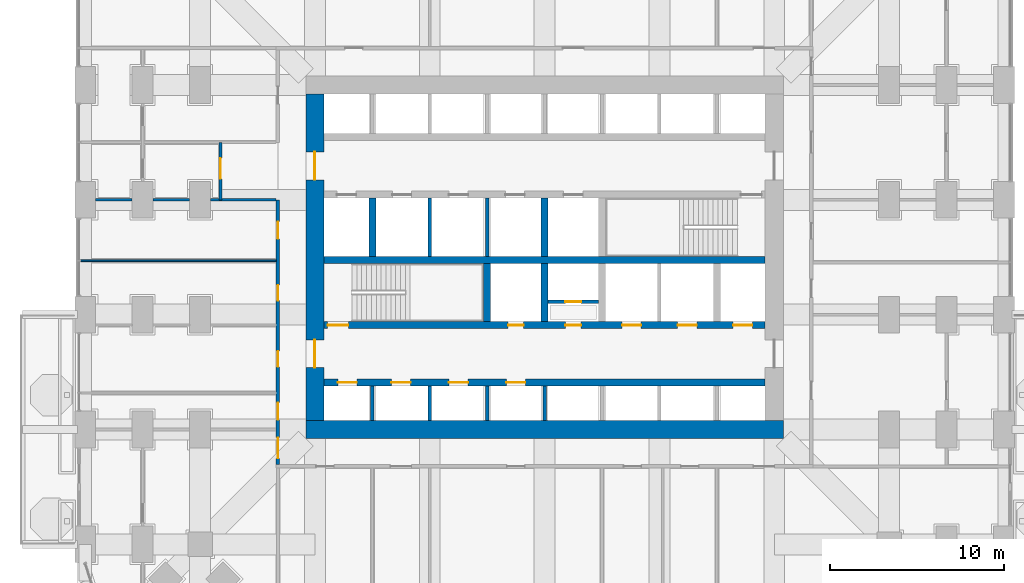
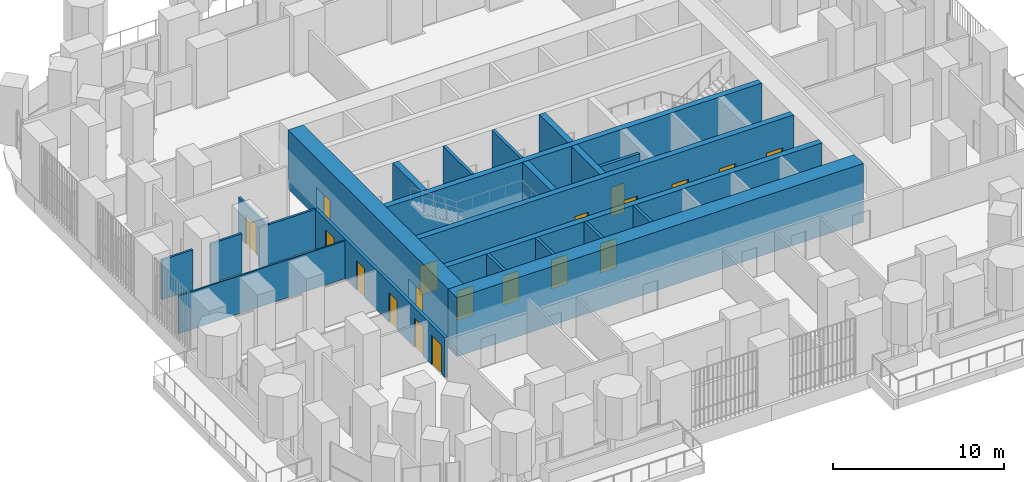
# One storey, part 19 of 27: 22 walls, 19 doors, 19 openings.
"""IFC4 building model written with IfcOpenShell, lengths in metres."""

from ifc_helpers import new_model, si_unit, direction, frame, frame_2d, origin, place, context, subcontext, project, spatial, rectangle, extrude, material, layer, layer_set, type_object, element, fill, save


model = new_model("IFC4")

# Units and contexts
model_context = context("Model", 3, precision=1e-05, world=origin(), true_north=direction((0.0, 1.0)))
body_context = subcontext(model_context, "Body", "Model", "MODEL_VIEW")
ifc_project = project(units=[si_unit("LENGTHUNIT", "METRE"), si_unit("AREAUNIT", "SQUARE_METRE"), si_unit("VOLUMEUNIT", "CUBIC_METRE"), si_unit("PLANEANGLEUNIT", "RADIAN"), si_unit("MASSUNIT", "GRAM", prefix="KILO")], contexts=[model_context])

# Site, building, storey
site_placement = place(None, origin())
site = spatial("IfcSite", under=ifc_project, at=site_placement, CompositionType="ELEMENT")
building_placement = place(site_placement, origin())
building = spatial("IfcBuilding", under=site, at=building_placement, Name="Cobogo Forest Laboratory Tower", CompositionType="ELEMENT")
storey_placement = place(building_placement, frame((0.0, 0.0, 46.5)))
storey = spatial("IfcBuildingStorey", under=building, at=storey_placement, Name="L10", CompositionType="ELEMENT", Elevation=46.5)

# Wall, openings, doors
ifc_material_1 = material(Name="Concrete HA-50 (C50/60)", Category="concrete")
ifc_layer_1 = layer(ifc_material_1, 0.39990234375)
ifc_layer_set_1 = layer_set([ifc_layer_1], Name="CI400 core inner wall 400")
wall_type_1 = type_object("IfcWallType", Name="CI400 core inner wall 400", PredefinedType="SHEAR", material=ifc_layer_set_1)
wall_1_placement = place(storey_placement, frame((13.72509765625, 15.89990234375, 0.0), z_axis=(0.0, 0.0, 1.0), x_axis=(1.0, 0.0, 0.0)))
wall_1 = element("IfcWall", 1, at=wall_1_placement, inside=storey, type_object=wall_type_1, Name="Core wall CI-15.9 L10", PredefinedType="SHEAR", context=body_context, shape_type="SweptSolid", body=[
    extrude(rectangle(XDim=25.349853515625, YDim=0.39990234375, at=frame_2d((12.6748046875, 0.0))), origin(), (0.0, 0.0, 1.0), 4.199951171875),
])
opening_1_placement = place(wall_1_placement, frame((0.78759765625, 0.0, 0.0)))
opening_1 = element("IfcOpeningElement", 2, at=opening_1_placement, cuts=wall_1, Name="Opening L10-LD-LA1", PredefinedType="OPENING", context=body_context, shape_type="SweptSolid", body=[
    extrude(rectangle(XDim=1.10009765625, YDim=2.10009765625, at=frame_2d((0.550048828125, 1.050048828125))), frame((0.0, 0.2099609375, 0.0), z_axis=(0.0, -1.0, 0.0), x_axis=(1.0, 0.0, 0.0)), (0.0, 0.0, 1.0), 0.419921875),
])
opening_2_placement = place(wall_1_placement, frame((3.875, 0.0, 0.0)))
opening_2 = element("IfcOpeningElement", 3, at=opening_2_placement, cuts=wall_1, Name="Opening L10-LD-LA2", PredefinedType="OPENING", context=body_context, shape_type="SweptSolid", body=[
    extrude(rectangle(XDim=1.10009765625, YDim=2.10009765625, at=frame_2d((0.550048828125, 1.050048828125))), frame((0.0, 0.2099609375, 0.0), z_axis=(0.0, -1.0, 0.0), x_axis=(1.0, 0.0, 0.0)), (0.0, 0.0, 1.0), 0.419921875),
])
opening_3_placement = place(wall_1_placement, frame((7.175048828125, 0.0, 0.0)))
opening_3 = element("IfcOpeningElement", 4, at=opening_3_placement, cuts=wall_1, Name="Opening L10-LD-LA3", PredefinedType="OPENING", context=body_context, shape_type="SweptSolid", body=[
    extrude(rectangle(XDim=1.10009765625, YDim=2.10009765625, at=frame_2d((0.550048828125, 1.050048828125))), frame((0.0, 0.2099609375, 0.0), z_axis=(0.0, -1.0, 0.0), x_axis=(1.0, 0.0, 0.0)), (0.0, 0.0, 1.0), 0.419921875),
])
opening_4_placement = place(wall_1_placement, frame((10.47509765625, 0.0, 0.0)))
opening_4 = element("IfcOpeningElement", 5, at=opening_4_placement, cuts=wall_1, Name="Opening L10-LD-LA4", PredefinedType="OPENING", context=body_context, shape_type="SweptSolid", body=[
    extrude(rectangle(XDim=1.10009765625, YDim=2.10009765625, at=frame_2d((0.550048828125, 1.050048828125))), frame((0.0, 0.2099609375, 0.0), z_axis=(0.0, -1.0, 0.0), x_axis=(1.0, 0.0, 0.0)), (0.0, 0.0, 1.0), 0.419921875),
])
ifc_material_2 = material(Name="Stainless steel lift door", Category="steel")
door_type_1 = type_object("IfcDoorType", Name="LD lift landing door 1100", OperationType="DOUBLE_DOOR_SLIDING", PredefinedType="DOOR", material=ifc_material_2)
door_1_placement = place(opening_1_placement, origin())
door_1 = element("IfcDoor", 6, at=door_1_placement, inside=storey, type_object=door_type_1, Name="Lift landing door LA1 L10", OperationType="DOUBLE_DOOR_SLIDING", OverallHeight=2.10009765625, OverallWidth=1.10009765625, PredefinedType="DOOR", context=body_context, shape_type="SweptSolid", body=[
    extrude(rectangle(XDim=1.10009765625, YDim=2.10009765625, at=frame_2d((0.550048828125, 1.050048828125))), frame((0.0, 0.02490234375, 0.0), z_axis=(0.0, -1.0, 0.0), x_axis=(1.0, 0.0, 0.0)), (0.0, 0.0, 1.0), 0.050048828125),
])
fill(opening_1, door_1)
door_2_placement = place(opening_2_placement, origin())
door_2 = element("IfcDoor", 7, at=door_2_placement, inside=storey, type_object=door_type_1, Name="Lift landing door LA2 L10", OperationType="DOUBLE_DOOR_SLIDING", OverallHeight=2.10009765625, OverallWidth=1.10009765625, PredefinedType="DOOR", context=body_context, shape_type="SweptSolid", body=[
    extrude(rectangle(XDim=1.10009765625, YDim=2.10009765625, at=frame_2d((0.550048828125, 1.050048828125))), frame((0.0, 0.02490234375, 0.0), z_axis=(0.0, -1.0, 0.0), x_axis=(1.0, 0.0, 0.0)), (0.0, 0.0, 1.0), 0.050048828125),
])
fill(opening_2, door_2)
door_3_placement = place(opening_3_placement, origin())
door_3 = element("IfcDoor", 8, at=door_3_placement, inside=storey, type_object=door_type_1, Name="Lift landing door LA3 L10", OperationType="DOUBLE_DOOR_SLIDING", OverallHeight=2.10009765625, OverallWidth=1.10009765625, PredefinedType="DOOR", context=body_context, shape_type="SweptSolid", body=[
    extrude(rectangle(XDim=1.10009765625, YDim=2.10009765625, at=frame_2d((0.550048828125, 1.050048828125))), frame((0.0, 0.02490234375, 0.0), z_axis=(0.0, -1.0, 0.0), x_axis=(1.0, 0.0, 0.0)), (0.0, 0.0, 1.0), 0.050048828125),
])
fill(opening_3, door_3)
door_4_placement = place(opening_4_placement, origin())
door_4 = element("IfcDoor", 9, at=door_4_placement, inside=storey, type_object=door_type_1, Name="Lift landing door LA4 L10", OperationType="DOUBLE_DOOR_SLIDING", OverallHeight=2.10009765625, OverallWidth=1.10009765625, PredefinedType="DOOR", context=body_context, shape_type="SweptSolid", body=[
    extrude(rectangle(XDim=1.10009765625, YDim=2.10009765625, at=frame_2d((0.550048828125, 1.050048828125))), frame((0.0, 0.02490234375, 0.0), z_axis=(0.0, -1.0, 0.0), x_axis=(1.0, 0.0, 0.0)), (0.0, 0.0, 1.0), 0.050048828125),
])
fill(opening_4, door_4)

wall_2_placement = place(storey_placement, frame((13.72509765625, 19.199951171875, 0.0), z_axis=(0.0, 0.0, 1.0), x_axis=(1.0, 0.0, 0.0)))
wall_2 = element("IfcWall", 10, at=wall_2_placement, inside=storey, type_object=wall_type_1, Name="Core wall CI-19.2 L10", PredefinedType="SHEAR", context=body_context, shape_type="SweptSolid", body=[
    extrude(rectangle(XDim=25.349853515625, YDim=0.39990234375, at=frame_2d((12.6748046875, 0.0))), origin(), (0.0, 0.0, 1.0), 4.199951171875),
])
opening_5_placement = place(wall_2_placement, frame((10.574951171875, 0.0, 0.0)))
opening_5 = element("IfcOpeningElement", 11, at=opening_5_placement, cuts=wall_2, Name="Opening L10-D24", PredefinedType="OPENING", context=body_context, shape_type="SweptSolid", body=[
    extrude(rectangle(XDim=0.89990234375, YDim=2.10009765625, at=frame_2d((0.449951171875, 1.050048828125))), frame((0.0, 0.2099609375, 0.0), z_axis=(0.0, -1.0, 0.0), x_axis=(1.0, 0.0, 0.0)), (0.0, 0.0, 1.0), 0.419921875),
])
opening_6_placement = place(wall_2_placement, frame((13.875, 0.0, 0.0)))
opening_6 = element("IfcOpeningElement", 12, at=opening_6_placement, cuts=wall_2, Name="Opening L10-D25", PredefinedType="OPENING", context=body_context, shape_type="SweptSolid", body=[
    extrude(rectangle(XDim=0.89990234375, YDim=2.10009765625, at=frame_2d((0.449951171875, 1.050048828125))), frame((0.0, 0.2099609375, 0.0), z_axis=(0.0, -1.0, 0.0), x_axis=(1.0, 0.0, 0.0)), (0.0, 0.0, 1.0), 0.419921875),
])
opening_7_placement = place(wall_2_placement, frame((0.199951171875, 0.0, 0.0)))
opening_7 = element("IfcOpeningElement", 13, at=opening_7_placement, cuts=wall_2, Name="Opening L10-D23", PredefinedType="OPENING", context=body_context, shape_type="SweptSolid", body=[
    extrude(rectangle(XDim=1.199951171875, YDim=2.10009765625, at=frame_2d((0.60009765625, 1.050048828125))), frame((0.0, 0.2099609375, 0.0), z_axis=(0.0, -1.0, 0.0), x_axis=(1.0, 0.0, 0.0)), (0.0, 0.0, 1.0), 0.419921875),
])
opening_8_placement = place(wall_2_placement, frame((23.512451171875, 0.0, 0.0)))
opening_8 = element("IfcOpeningElement", 14, at=opening_8_placement, cuts=wall_2, Name="Opening L10-LD-FL2", PredefinedType="OPENING", context=body_context, shape_type="SweptSolid", body=[
    extrude(rectangle(XDim=1.10009765625, YDim=2.10009765625, at=frame_2d((0.550048828125, 1.050048828125))), frame((0.0, 0.2099609375, 0.0), z_axis=(0.0, -1.0, 0.0), x_axis=(1.0, 0.0, 0.0)), (0.0, 0.0, 1.0), 0.419921875),
])
opening_9_placement = place(wall_2_placement, frame((17.125, 0.0, 0.0)))
opening_9 = element("IfcOpeningElement", 15, at=opening_9_placement, cuts=wall_2, Name="Opening L10-LD-LS1", PredefinedType="OPENING", context=body_context, shape_type="SweptSolid", body=[
    extrude(rectangle(XDim=1.10009765625, YDim=2.10009765625, at=frame_2d((0.550048828125, 1.050048828125))), frame((0.0, 0.2099609375, 0.0), z_axis=(0.0, -1.0, 0.0), x_axis=(1.0, 0.0, 0.0)), (0.0, 0.0, 1.0), 0.419921875),
])
opening_10_placement = place(wall_2_placement, frame((20.324951171875, 0.0, 0.0)))
opening_10 = element("IfcOpeningElement", 16, at=opening_10_placement, cuts=wall_2, Name="Opening L10-LD-LS2", PredefinedType="OPENING", context=body_context, shape_type="SweptSolid", body=[
    extrude(rectangle(XDim=1.10009765625, YDim=2.10009765625, at=frame_2d((0.550048828125, 1.050048828125))), frame((0.0, 0.2099609375, 0.0), z_axis=(0.0, -1.0, 0.0), x_axis=(1.0, 0.0, 0.0)), (0.0, 0.0, 1.0), 0.419921875),
])
ifc_material_3 = material(Name="Steel fire door", Category="steel")
door_type_2 = type_object("IfcDoorType", Name="DS1 protected stair door 1200 EI2 60", OperationType="SINGLE_SWING_LEFT", PredefinedType="DOOR", material=ifc_material_3)
door_5_placement = place(opening_7_placement, origin())
door_5 = element("IfcDoor", 17, at=door_5_placement, inside=storey, type_object=door_type_2, Name="Door L10-ST1", OperationType="SINGLE_SWING_LEFT", OverallHeight=2.10009765625, OverallWidth=1.199951171875, PredefinedType="DOOR", context=body_context, shape_type="SweptSolid", body=[
    extrude(rectangle(XDim=1.199951171875, YDim=2.10009765625, at=frame_2d((0.60009765625, 1.050048828125))), frame((0.0, 0.02490234375, 0.0), z_axis=(0.0, -1.0, 0.0), x_axis=(1.0, 0.0, 0.0)), (0.0, 0.0, 1.0), 0.050048828125),
])
fill(opening_7, door_5)
door_type_3 = type_object("IfcDoorType", Name="FD4 riser access door 900 EI2 60", OperationType="SINGLE_SWING_LEFT", PredefinedType="DOOR", material=ifc_material_3)
door_6_placement = place(opening_5_placement, origin())
door_6 = element("IfcDoor", 18, at=door_6_placement, inside=storey, type_object=door_type_3, Name="Door L10-R1", OperationType="SINGLE_SWING_LEFT", OverallHeight=2.10009765625, OverallWidth=0.89990234375, PredefinedType="DOOR", context=body_context, shape_type="SweptSolid", body=[
    extrude(rectangle(XDim=0.89990234375, YDim=2.10009765625, at=frame_2d((0.449951171875, 1.050048828125))), frame((0.0, 0.02490234375, 0.0), z_axis=(0.0, -1.0, 0.0), x_axis=(1.0, 0.0, 0.0)), (0.0, 0.0, 1.0), 0.050048828125),
])
fill(opening_5, door_6)
door_7_placement = place(opening_6_placement, origin())
door_7 = element("IfcDoor", 19, at=door_7_placement, inside=storey, type_object=door_type_3, Name="Door L10-R2V", OperationType="SINGLE_SWING_RIGHT", OverallHeight=2.10009765625, OverallWidth=0.89990234375, PredefinedType="DOOR", context=body_context, shape_type="SweptSolid", body=[
    extrude(rectangle(XDim=0.89990234375, YDim=2.10009765625, at=frame_2d((0.449951171875, 1.050048828125))), frame((0.0, 0.02490234375, 0.0), z_axis=(0.0, -1.0, 0.0), x_axis=(1.0, 0.0, 0.0)), (0.0, 0.0, 1.0), 0.050048828125),
])
fill(opening_6, door_7)
door_8_placement = place(opening_8_placement, origin())
door_8 = element("IfcDoor", 20, at=door_8_placement, inside=storey, type_object=door_type_1, Name="Lift landing door FL2 L10", OperationType="DOUBLE_DOOR_SLIDING", OverallHeight=2.10009765625, OverallWidth=1.10009765625, PredefinedType="DOOR", context=body_context, shape_type="SweptSolid", body=[
    extrude(rectangle(XDim=1.10009765625, YDim=2.10009765625, at=frame_2d((0.550048828125, 1.050048828125))), frame((0.0, 0.02490234375, 0.0), z_axis=(0.0, -1.0, 0.0), x_axis=(1.0, 0.0, 0.0)), (0.0, 0.0, 1.0), 0.050048828125),
])
fill(opening_8, door_8)
door_9_placement = place(opening_9_placement, origin())
door_9 = element("IfcDoor", 21, at=door_9_placement, inside=storey, type_object=door_type_1, Name="Lift landing door LS1 L10", OperationType="DOUBLE_DOOR_SLIDING", OverallHeight=2.10009765625, OverallWidth=1.10009765625, PredefinedType="DOOR", context=body_context, shape_type="SweptSolid", body=[
    extrude(rectangle(XDim=1.10009765625, YDim=2.10009765625, at=frame_2d((0.550048828125, 1.050048828125))), frame((0.0, 0.02490234375, 0.0), z_axis=(0.0, -1.0, 0.0), x_axis=(1.0, 0.0, 0.0)), (0.0, 0.0, 1.0), 0.050048828125),
])
fill(opening_9, door_9)
door_10_placement = place(opening_10_placement, origin())
door_10 = element("IfcDoor", 22, at=door_10_placement, inside=storey, type_object=door_type_1, Name="Lift landing door LS2 L10", OperationType="DOUBLE_DOOR_SLIDING", OverallHeight=2.10009765625, OverallWidth=1.10009765625, PredefinedType="DOOR", context=body_context, shape_type="SweptSolid", body=[
    extrude(rectangle(XDim=1.10009765625, YDim=2.10009765625, at=frame_2d((0.550048828125, 1.050048828125))), frame((0.0, 0.02490234375, 0.0), z_axis=(0.0, -1.0, 0.0), x_axis=(1.0, 0.0, 0.0)), (0.0, 0.0, 1.0), 0.050048828125),
])
fill(opening_10, door_10)

# Walls
wall_3_placement = place(storey_placement, frame((13.72509765625, 22.949951171875, 0.0), z_axis=(0.0, 0.0, 1.0), x_axis=(1.0, 0.0, 0.0)))
element("IfcWall", 23, at=wall_3_placement, inside=storey, type_object=wall_type_1, Name="Core wall CI-22.95 L10", PredefinedType="SHEAR", context=body_context, shape_type="SweptSolid", body=[
    extrude(rectangle(XDim=25.349853515625, YDim=0.39990234375, at=frame_2d((12.6748046875, 0.0))), origin(), (0.0, 0.0, 1.0), 4.199951171875),
])
for number, where, z_axis, x_axis, name in (
    (24, (23.10009765625, 19.39990234375, 0.0), (0.0, 0.0, 1.0), (0.0, 1.0, 0.0), "Core wall CX-23.1 L10"),
    (25, (26.39990234375, 19.39990234375, 0.0), (0.0, 0.0, 1.0), (0.0, 1.0, 0.0), "Core wall CX-26.4S L10"),
    (26, (16.5, 23.14990234375, 0.0), (0.0, 0.0, 1.0), (0.0, 1.0, 0.0), "Core wall CX-16.5 L10"),
    (27, (26.39990234375, 23.14990234375, 0.0), (0.0, 0.0, 1.0), (0.0, 1.0, 0.0), "Core wall CX-26.4N L10"),
):
    element("IfcWall", number, at=place(storey_placement, frame(where, z_axis=z_axis, x_axis=x_axis)), inside=storey, type_object=wall_type_1, Name=name, PredefinedType="SHEAR", context=body_context, shape_type="SweptSolid", body=[
        extrude(rectangle(XDim=3.35009765625, YDim=0.39990234375, at=frame_2d((1.675048828125, 0.0))), origin(), (0.0, 0.0, 1.0), 4.199951171875),
    ])
ifc_layer_2 = layer(ifc_material_1, 1.050048828125)
ifc_layer_set_2 = layer_set([ifc_layer_2], Name="CW1050 core outer wall 1050")
wall_type_2 = type_object("IfcWallType", Name="CW1050 core outer wall 1050", PredefinedType="SHEAR", material=ifc_layer_set_2)
wall_4_placement = place(storey_placement, frame((12.675048828125, 13.199951171875, 0.0), z_axis=(0.0, 0.0, 1.0), x_axis=(1.0, 0.0, 0.0)))
element("IfcWall", 28, at=wall_4_placement, inside=storey, type_object=wall_type_2, Name="Core wall CO-S L10", PredefinedType="SHEAR", context=body_context, shape_type="SweptSolid", body=[
    extrude(rectangle(XDim=27.449951171875, YDim=1.050048828125, at=frame_2d((13.72509765625, 0.0))), origin(), (0.0, 0.0, 1.0), 4.199951171875),
])

# Wall, openings, doors
wall_5_placement = place(storey_placement, frame((13.199951171875, 32.47509765625, 0.0), z_axis=(0.0, 0.0, 1.0), x_axis=(0.0, -1.0, 0.0)))
wall_5 = element("IfcWall", 29, at=wall_5_placement, inside=storey, type_object=wall_type_2, Name="Core wall CO-W L10", PredefinedType="SHEAR", context=body_context, shape_type="SweptSolid", body=[
    extrude(rectangle(XDim=18.75, YDim=1.050048828125, at=frame_2d((9.375, 0.0))), origin(), (0.0, 0.0, 1.0), 4.199951171875),
])
opening_11_placement = place(wall_5_placement, frame((14.125, 0.0, 0.0)))
opening_11 = element("IfcOpeningElement", 30, at=opening_11_placement, cuts=wall_5, Name="Opening L10-D21", PredefinedType="OPENING", context=body_context, shape_type="SweptSolid", body=[
    extrude(rectangle(XDim=1.60009765625, YDim=2.10009765625, at=frame_2d((0.800048828125, 1.050048828125))), frame((0.0, 0.534912109375, 0.0), z_axis=(0.0, -1.0, 0.0), x_axis=(1.0, 0.0, 0.0)), (0.0, 0.0, 1.0), 1.070068359375),
])
opening_12_placement = place(wall_5_placement, frame((3.324951171875, 0.0, 0.0)))
opening_12 = element("IfcOpeningElement", 31, at=opening_12_placement, cuts=wall_5, Name="Opening L10-D34", PredefinedType="OPENING", context=body_context, shape_type="SweptSolid", body=[
    extrude(rectangle(XDim=1.60009765625, YDim=2.10009765625, at=frame_2d((0.800048828125, 1.050048828125))), frame((0.0, 0.534912109375, 0.0), z_axis=(0.0, -1.0, 0.0), x_axis=(1.0, 0.0, 0.0)), (0.0, 0.0, 1.0), 1.070068359375),
])
door_type_4 = type_object("IfcDoorType", Name="DS2 protected lobby door pair 1600 EI2 60", OperationType="DOUBLE_DOOR_DOUBLE_SWING", PredefinedType="DOOR", material=ifc_material_3)
door_11_placement = place(opening_11_placement, origin())
door_11 = element("IfcDoor", 32, at=door_11_placement, inside=storey, type_object=door_type_4, Name="Door L10-CO-W-S", OperationType="DOUBLE_DOOR_DOUBLE_SWING", OverallHeight=2.10009765625, OverallWidth=1.60009765625, PredefinedType="DOOR", context=body_context, shape_type="SweptSolid", body=[
    extrude(rectangle(XDim=1.60009765625, YDim=2.10009765625, at=frame_2d((0.800048828125, 1.050048828125))), frame((0.0, 0.02490234375, 0.0), z_axis=(0.0, -1.0, 0.0), x_axis=(1.0, 0.0, 0.0)), (0.0, 0.0, 1.0), 0.050048828125),
])
fill(opening_11, door_11)
door_12_placement = place(opening_12_placement, origin())
door_12 = element("IfcDoor", 33, at=door_12_placement, inside=storey, type_object=door_type_4, Name="Door L10-CO-W-N", OperationType="DOUBLE_DOOR_DOUBLE_SWING", OverallHeight=2.10009765625, OverallWidth=1.60009765625, PredefinedType="DOOR", context=body_context, shape_type="SweptSolid", body=[
    extrude(rectangle(XDim=1.60009765625, YDim=2.10009765625, at=frame_2d((0.800048828125, 1.050048828125))), frame((0.0, 0.02490234375, 0.0), z_axis=(0.0, -1.0, 0.0), x_axis=(1.0, 0.0, 0.0)), (0.0, 0.0, 1.0), 0.050048828125),
])
fill(opening_12, door_12)

# Wall, opening, door
ifc_material_4 = material(Name="Gypsum board on steel studs", Category="steel")
ifc_layer_3 = layer(ifc_material_4, 0.14990234375)
ifc_layer_set_3 = layer_set([ifc_layer_3], Name="PT1 laboratory partition 150")
wall_type_3 = type_object("IfcWallType", Name="PT1 laboratory partition 150", PredefinedType="PARTITIONING", material=ifc_layer_set_3)
wall_6_placement = place(storey_placement, frame((7.77490234375, 26.39990234375, 0.0), z_axis=(0.0, 0.0, 1.0), x_axis=(0.0, 1.0, 0.0)))
wall_6 = element("IfcWall", 34, at=wall_6_placement, inside=storey, type_object=wall_type_3, Name="Partition NODE-W-1 L10", PredefinedType="PARTITIONING", context=body_context, shape_type="SweptSolid", body=[
    extrude(rectangle(XDim=3.300048828125, YDim=0.14990234375, at=frame_2d((1.64990234375, 0.0))), origin(), (0.0, 0.0, 1.0), 2.85009765625),
])
opening_13_placement = place(wall_6_placement, frame((1.199951171875, 0.0, 0.0)))
opening_13 = element("IfcOpeningElement", 35, at=opening_13_placement, cuts=wall_6, Name="Opening L10-D33", PredefinedType="OPENING", context=body_context, shape_type="SweptSolid", body=[
    extrude(rectangle(XDim=1.199951171875, YDim=2.10009765625, at=frame_2d((0.60009765625, 1.050048828125))), frame((0.0, 0.0849609375, 0.0), z_axis=(0.0, -1.0, 0.0), x_axis=(1.0, 0.0, 0.0)), (0.0, 0.0, 1.0), 0.169921875),
])
ifc_material_5 = material(Name="Timber door", Category="wood")
door_type_5 = type_object("IfcDoorType", Name="D2 laboratory door 1200 unequal pair", OperationType="DOUBLE_DOOR_SINGLE_SWING", PredefinedType="DOOR", material=ifc_material_5)
door_13_placement = place(opening_13_placement, origin())
door_13 = element("IfcDoor", 36, at=door_13_placement, inside=storey, type_object=door_type_5, Name="Door L10-W3", OperationType="DOUBLE_DOOR_SINGLE_SWING", OverallHeight=2.10009765625, OverallWidth=1.199951171875, PredefinedType="DOOR", context=body_context, shape_type="SweptSolid", body=[
    extrude(rectangle(XDim=1.199951171875, YDim=2.10009765625, at=frame_2d((0.60009765625, 1.050048828125))), frame((0.0, 0.02490234375, 0.0), z_axis=(0.0, -1.0, 0.0), x_axis=(1.0, 0.0, 0.0)), (0.0, 0.0, 1.0), 0.050048828125),
])
fill(opening_13, door_13)

# Walls
wall_7_placement = place(storey_placement, frame((0.60009765625, 26.39990234375, 0.0), z_axis=(0.0, 0.0, 1.0), x_axis=(1.0, 0.0, 0.0)))
element("IfcWall", 37, at=wall_7_placement, inside=storey, type_object=wall_type_3, Name="Partition CUT-W26.4-1 L10", PredefinedType="PARTITIONING", context=body_context, shape_type="SweptSolid", body=[
    extrude(rectangle(XDim=2.099853515625, YDim=0.14990234375, at=frame_2d((1.0498046875, 0.0))), origin(), (0.0, 0.0, 1.0), 2.85009765625),
])
wall_8_placement = place(storey_placement, frame((3.89990234375, 26.39990234375, 0.0), z_axis=(0.0, 0.0, 1.0), x_axis=(1.0, 0.0, 0.0)))
element("IfcWall", 38, at=wall_8_placement, inside=storey, type_object=wall_type_3, Name="Partition CUT-W26.4-2 L10", PredefinedType="PARTITIONING", context=body_context, shape_type="SweptSolid", body=[
    extrude(rectangle(XDim=2.10009765625, YDim=0.14990234375, at=frame_2d((1.050048828125, 0.0))), origin(), (0.0, 0.0, 1.0), 2.85009765625),
])
wall_9_placement = place(storey_placement, frame((7.199951171875, 26.39990234375, 0.0), z_axis=(0.0, 0.0, 1.0), x_axis=(1.0, 0.0, 0.0)))
element("IfcWall", 39, at=wall_9_placement, inside=storey, type_object=wall_type_3, Name="Partition CUT-W26.4-3 L10", PredefinedType="PARTITIONING", context=body_context, shape_type="SweptSolid", body=[
    extrude(rectangle(XDim=3.775146484375, YDim=0.14990234375, at=frame_2d((1.8876953125, 0.0))), origin(), (0.0, 0.0, 1.0), 2.85009765625),
])

# Wall, openings, doors
ifc_layer_4 = layer(ifc_material_4, 0.199951171875)
ifc_layer_set_4 = layer_set([ifc_layer_4], Name="PT2 fire-rated corridor partition 200")
wall_type_4 = type_object("IfcWallType", Name="PT2 fire-rated corridor partition 200", PredefinedType="PARTITIONING", material=ifc_layer_set_4)
wall_10_placement = place(storey_placement, frame((11.074951171875, 11.175048828125, 0.0), z_axis=(0.0, 0.0, 1.0), x_axis=(0.0, 1.0, 0.0)))
wall_10 = element("IfcWall", 40, at=wall_10_placement, inside=storey, type_object=wall_type_4, Name="Partition CORR-W-1 L10", PredefinedType="PARTITIONING", context=body_context, shape_type="SweptSolid", body=[
    extrude(rectangle(XDim=15.224853515625, YDim=0.199951171875, at=frame_2d((7.6123046875, 0.0))), origin(), (0.0, 0.0, 1.0), 2.85009765625),
])
opening_14_placement = place(wall_10_placement, frame((0.362548828125, 0.0, 0.0)))
opening_14 = element("IfcOpeningElement", 41, at=opening_14_placement, cuts=wall_10, Name="Opening L10-D16", PredefinedType="OPENING", context=body_context, shape_type="SweptSolid", body=[
    extrude(rectangle(XDim=1.199951171875, YDim=2.10009765625, at=frame_2d((0.60009765625, 1.050048828125))), frame((0.0, 0.10986328125, 0.0), z_axis=(0.0, -1.0, 0.0), x_axis=(1.0, 0.0, 0.0)), (0.0, 0.0, 1.0), 0.219970703125),
])
opening_15_placement = place(wall_10_placement, frame((2.574951171875, 0.0, 0.0)))
opening_15 = element("IfcOpeningElement", 42, at=opening_15_placement, cuts=wall_10, Name="Opening L10-D17", PredefinedType="OPENING", context=body_context, shape_type="SweptSolid", body=[
    extrude(rectangle(XDim=1.0, YDim=2.10009765625, at=frame_2d((0.5, 1.050048828125))), frame((0.0, 0.10986328125, 0.0), z_axis=(0.0, -1.0, 0.0), x_axis=(1.0, 0.0, 0.0)), (0.0, 0.0, 1.0), 0.219970703125),
])
opening_16_placement = place(wall_10_placement, frame((5.625, 0.0, 0.0)))
opening_16 = element("IfcOpeningElement", 43, at=opening_16_placement, cuts=wall_10, Name="Opening L10-D20", PredefinedType="OPENING", context=body_context, shape_type="SweptSolid", body=[
    extrude(rectangle(XDim=0.89990234375, YDim=2.10009765625, at=frame_2d((0.449951171875, 1.050048828125))), frame((0.0, 0.10986328125, 0.0), z_axis=(0.0, -1.0, 0.0), x_axis=(1.0, 0.0, 0.0)), (0.0, 0.0, 1.0), 0.219970703125),
])
opening_17_placement = place(wall_10_placement, frame((9.425048828125, 0.0, 0.0)))
opening_17 = element("IfcOpeningElement", 44, at=opening_17_placement, cuts=wall_10, Name="Opening L10-D27", PredefinedType="OPENING", context=body_context, shape_type="SweptSolid", body=[
    extrude(rectangle(XDim=0.89990234375, YDim=2.10009765625, at=frame_2d((0.449951171875, 1.050048828125))), frame((0.0, 0.10986328125, 0.0), z_axis=(0.0, -1.0, 0.0), x_axis=(1.0, 0.0, 0.0)), (0.0, 0.0, 1.0), 0.219970703125),
])
opening_18_placement = place(wall_10_placement, frame((12.97509765625, 0.0, 0.0)))
opening_18 = element("IfcOpeningElement", 45, at=opening_18_placement, cuts=wall_10, Name="Opening L10-D30", PredefinedType="OPENING", context=body_context, shape_type="SweptSolid", body=[
    extrude(rectangle(XDim=1.0, YDim=2.10009765625, at=frame_2d((0.5, 1.050048828125))), frame((0.0, 0.10986328125, 0.0), z_axis=(0.0, -1.0, 0.0), x_axis=(1.0, 0.0, 0.0)), (0.0, 0.0, 1.0), 0.219970703125),
])
door_14_placement = place(opening_14_placement, origin())
door_14 = element("IfcDoor", 46, at=door_14_placement, inside=storey, type_object=door_type_5, Name="Door L10-W1", OperationType="DOUBLE_DOOR_SINGLE_SWING", OverallHeight=2.10009765625, OverallWidth=1.199951171875, PredefinedType="DOOR", context=body_context, shape_type="SweptSolid", body=[
    extrude(rectangle(XDim=1.199951171875, YDim=2.10009765625, at=frame_2d((0.60009765625, 1.050048828125))), frame((0.0, 0.02490234375, 0.0), z_axis=(0.0, -1.0, 0.0), x_axis=(1.0, 0.0, 0.0)), (0.0, 0.0, 1.0), 0.050048828125),
])
fill(opening_14, door_14)
ifc_material_6 = material(Name="Timber fire door", Category="wood")
door_type_6 = type_object("IfcDoorType", Name="FD2 fire door 1000 EI2 30", OperationType="SINGLE_SWING_LEFT", PredefinedType="DOOR", material=ifc_material_6)
door_15_placement = place(opening_18_placement, origin())
door_15 = element("IfcDoor", 47, at=door_15_placement, inside=storey, type_object=door_type_6, Name="Door L10-SHW", OperationType="SINGLE_SWING_RIGHT", OverallHeight=2.10009765625, OverallWidth=1.0, PredefinedType="DOOR", context=body_context, shape_type="SweptSolid", body=[
    extrude(rectangle(XDim=1.0, YDim=2.10009765625, at=frame_2d((0.5, 1.050048828125))), frame((0.0, 0.02490234375, 0.0), z_axis=(0.0, -1.0, 0.0), x_axis=(1.0, 0.0, 0.0)), (0.0, 0.0, 1.0), 0.050048828125),
])
fill(opening_18, door_15)
door_type_7 = type_object("IfcDoorType", Name="FD3 toilet fire door 900 EI2 30", OperationType="SINGLE_SWING_LEFT", PredefinedType="DOOR", material=ifc_material_6)
door_16_placement = place(opening_16_placement, origin())
door_16 = element("IfcDoor", 48, at=door_16_placement, inside=storey, type_object=door_type_7, Name="Door L10-WCF", OperationType="SINGLE_SWING_LEFT", OverallHeight=2.10009765625, OverallWidth=0.89990234375, PredefinedType="DOOR", context=body_context, shape_type="SweptSolid", body=[
    extrude(rectangle(XDim=0.89990234375, YDim=2.10009765625, at=frame_2d((0.449951171875, 1.050048828125))), frame((0.0, 0.02490234375, 0.0), z_axis=(0.0, -1.0, 0.0), x_axis=(1.0, 0.0, 0.0)), (0.0, 0.0, 1.0), 0.050048828125),
])
fill(opening_16, door_16)
door_17_placement = place(opening_17_placement, origin())
door_17 = element("IfcDoor", 49, at=door_17_placement, inside=storey, type_object=door_type_7, Name="Door L10-WCM", OperationType="SINGLE_SWING_RIGHT", OverallHeight=2.10009765625, OverallWidth=0.89990234375, PredefinedType="DOOR", context=body_context, shape_type="SweptSolid", body=[
    extrude(rectangle(XDim=0.89990234375, YDim=2.10009765625, at=frame_2d((0.449951171875, 1.050048828125))), frame((0.0, 0.02490234375, 0.0), z_axis=(0.0, -1.0, 0.0), x_axis=(1.0, 0.0, 0.0)), (0.0, 0.0, 1.0), 0.050048828125),
])
fill(opening_17, door_17)
door_type_8 = type_object("IfcDoorType", Name="FDA1 accessible toilet fire door 1000 EI2 30", OperationType="SINGLE_SWING_RIGHT", PredefinedType="DOOR", material=ifc_material_6)
door_18_placement = place(opening_15_placement, origin())
door_18 = element("IfcDoor", 50, at=door_18_placement, inside=storey, type_object=door_type_8, Name="Door L10-WCA", OperationType="SINGLE_SWING_LEFT", OverallHeight=2.10009765625, OverallWidth=1.0, PredefinedType="DOOR", context=body_context, shape_type="SweptSolid", body=[
    extrude(rectangle(XDim=1.0, YDim=2.10009765625, at=frame_2d((0.5, 1.050048828125))), frame((0.0, 0.02490234375, 0.0), z_axis=(0.0, -1.0, 0.0), x_axis=(1.0, 0.0, 0.0)), (0.0, 0.0, 1.0), 0.050048828125),
])
fill(opening_15, door_18)

# Wall, opening, door
wall_11_placement = place(storey_placement, frame((26.60009765625, 20.550048828125, 0.0), z_axis=(0.0, 0.0, 1.0), x_axis=(1.0, 0.0, 0.0)))
wall_11 = element("IfcWall", 51, at=wall_11_placement, inside=storey, type_object=wall_type_4, Name="Partition RSPLIT-R2 L10", PredefinedType="PARTITIONING", context=body_context, shape_type="SweptSolid", body=[
    extrude(rectangle(XDim=2.89990234375, YDim=0.199951171875, at=frame_2d((1.449951171875, 0.0))), origin(), (0.0, 0.0, 1.0), 3.89990234375),
])
opening_19_placement = place(wall_11_placement, frame((1.0, 0.0, 0.0)))
opening_19 = element("IfcOpeningElement", 52, at=opening_19_placement, cuts=wall_11, Name="Opening L10-D26", PredefinedType="OPENING", context=body_context, shape_type="SweptSolid", body=[
    extrude(rectangle(XDim=0.89990234375, YDim=2.10009765625, at=frame_2d((0.449951171875, 1.050048828125))), frame((0.0, 0.10986328125, 0.0), z_axis=(0.0, -1.0, 0.0), x_axis=(1.0, 0.0, 0.0)), (0.0, 0.0, 1.0), 0.219970703125),
])
door_19_placement = place(opening_19_placement, origin())
door_19 = element("IfcDoor", 53, at=door_19_placement, inside=storey, type_object=door_type_3, Name="Door L10-R2", OperationType="SINGLE_SWING_RIGHT", OverallHeight=2.10009765625, OverallWidth=0.89990234375, PredefinedType="DOOR", context=body_context, shape_type="SweptSolid", body=[
    extrude(rectangle(XDim=0.89990234375, YDim=2.10009765625, at=frame_2d((0.449951171875, 1.050048828125))), frame((0.0, 0.02490234375, 0.0), z_axis=(0.0, -1.0, 0.0), x_axis=(1.0, 0.0, 0.0)), (0.0, 0.0, 1.0), 0.050048828125),
])
fill(opening_19, door_19)

# Walls
ifc_layer_5 = layer(ifc_material_4, 0.10009765625)
ifc_layer_set_5 = layer_set([ifc_layer_5], Name="PT3 toilet partition 100")
wall_type_5 = type_object("IfcWallType", Name="PT3 toilet partition 100", PredefinedType="PARTITIONING", material=ifc_layer_set_5)
wall_12_placement = place(storey_placement, frame((-0.27001953125, 22.89990234375, 0.0), z_axis=(0.0, 0.0, 1.0), x_axis=(1.0, 0.0, 0.0)))
element("IfcWall", 54, at=wall_12_placement, inside=storey, type_object=wall_type_5, Name="Partition SVC-W3-1 L10", PredefinedType="PARTITIONING", context=body_context, shape_type="SweptSolid", body=[
    extrude(rectangle(XDim=11.2451171875, YDim=0.10009765625, at=frame_2d((5.62255859375, 0.0))), origin(), (0.0, 0.0, 1.0), 2.699951171875),
])
ifc_material_7 = material(Name="Concrete block", Category="concrete")
ifc_layer_6 = layer(ifc_material_7, 0.199951171875)
ifc_layer_set_6 = layer_set([ifc_layer_6], Name="SW200 lift shaft separator 200")
wall_type_6 = type_object("IfcWallType", Name="SW200 lift shaft separator 200", PredefinedType="PARTITIONING", material=ifc_layer_set_6)
for number, where, z_axis, x_axis, name in (
    (55, (16.5, 13.72509765625, 0.0), (0.0, 0.0, 1.0), (0.0, 1.0, 0.0), "Core wall SEP-S1 L10"),
    (56, (19.800048828125, 13.72509765625, 0.0), (0.0, 0.0, 1.0), (0.0, 1.0, 0.0), "Core wall SEP-S2 L10"),
    (57, (23.10009765625, 13.72509765625, 0.0), (0.0, 0.0, 1.0), (0.0, 1.0, 0.0), "Core wall SEP-S3 L10"),
    (58, (26.39990234375, 13.72509765625, 0.0), (0.0, 0.0, 1.0), (0.0, 1.0, 0.0), "Core wall SEP-S4 L10"),
):
    element("IfcWall", number, at=place(storey_placement, frame(where, z_axis=z_axis, x_axis=x_axis)), inside=storey, type_object=wall_type_6, Name=name, PredefinedType="PARTITIONING", context=body_context, shape_type="SweptSolid", body=[
        extrude(rectangle(XDim=1.974853515625, YDim=0.199951171875, at=frame_2d((0.9873046875, 0.0))), origin(), (0.0, 0.0, 1.0), 4.199951171875),
    ])
for number, where, z_axis, x_axis, name in (
    (59, (19.800048828125, 23.14990234375, 0.0), (0.0, 0.0, 1.0), (0.0, 1.0, 0.0), "Core wall SEP-M19.8 L10"),
    (60, (23.10009765625, 23.14990234375, 0.0), (0.0, 0.0, 1.0), (0.0, 1.0, 0.0), "Core wall SEP-M23.1 L10"),
):
    element("IfcWall", number, at=place(storey_placement, frame(where, z_axis=z_axis, x_axis=x_axis)), inside=storey, type_object=wall_type_6, Name=name, PredefinedType="PARTITIONING", context=body_context, shape_type="SweptSolid", body=[
        extrude(rectangle(XDim=3.35009765625, YDim=0.199951171875, at=frame_2d((1.675048828125, 0.0))), origin(), (0.0, 0.0, 1.0), 4.199951171875),
    ])

save(model, "model.ifc")
